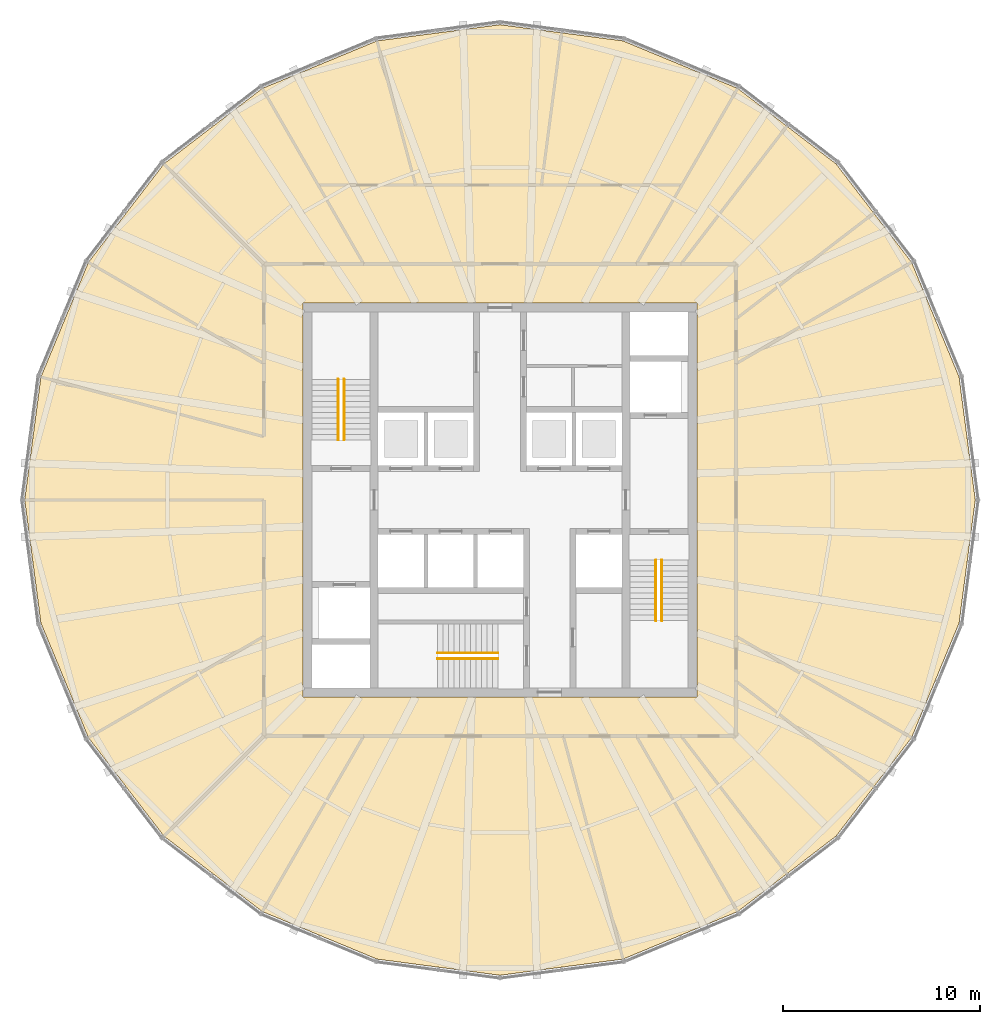
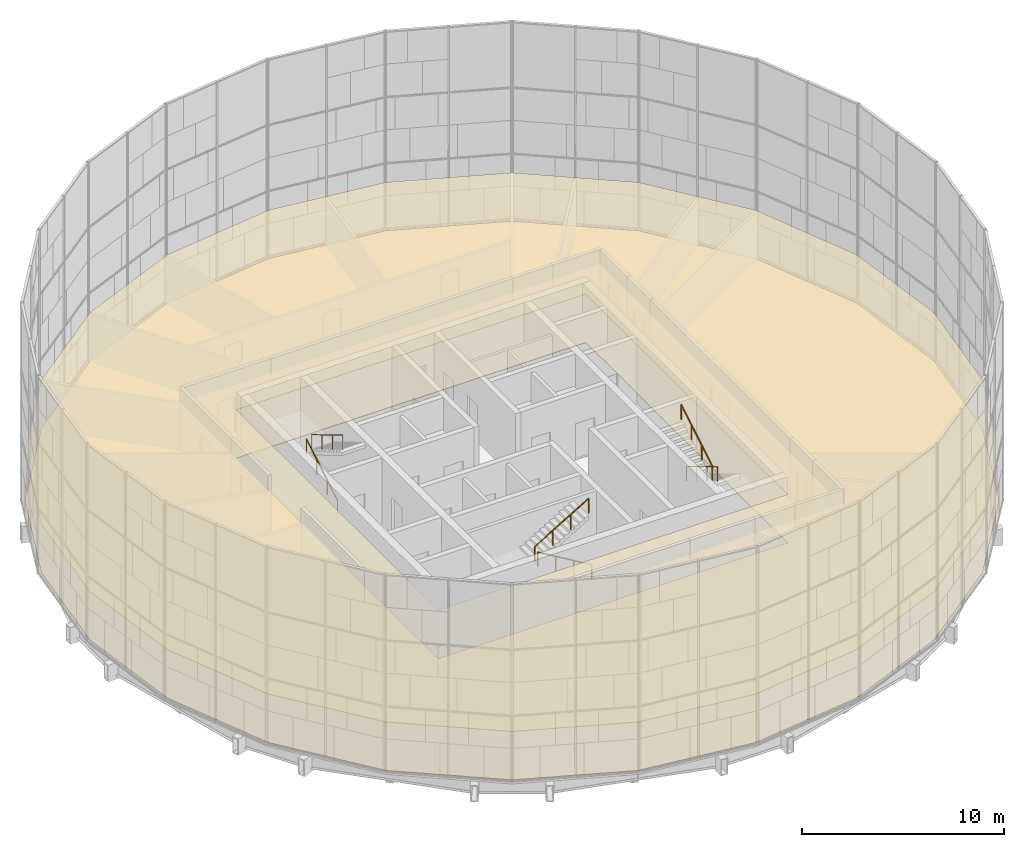
# One storey, part 21 of 22: 6 railings, 2 coverings.
"""IFC4 building model written with IfcOpenShell, lengths in metres."""

import ifcopenshell
import ifcopenshell.guid

model = None  # the IFC model being written
_history = None  # IfcOwnerHistory: only IFC2X3 demands one
_inside = {}  # id of a spatial element -> (the spatial element, [elements in it])
_under = {}  # id of a project, library or spatial element -> (it, [spatial elements below it])
_declared = {}  # id of a project -> (the project, [libraries it declares])
_typed = {}  # id of a type object -> (the type object, [elements of that type])
_made_of = {}  # id of a material, layer set ... -> (it, [elements and type objects made of it])


def new_model(schema):
    """Start an empty IFC model of exactly this schema.

    Asked for "IFC4X3", IfcOpenShell would pick the latest addendum, in which some entities
    have other attributes; the version numbers below select the first issue.
    IFC2X3 requires an IfcOwnerHistory on every rooted entity: one is made here for all.
    """
    global model, _history
    if schema == "IFC4X3":
        model = ifcopenshell.file(schema_version=(4, 3, 0, 0))
    else:
        model = ifcopenshell.file(schema=schema)
    _inside.clear()
    _under.clear()
    _declared.clear()
    _typed.clear()
    _made_of.clear()
    _history = None
    if model.schema == "IFC2X3":
        org = make("IfcOrganization", Name="unknown")
        user = make(
            "IfcPersonAndOrganization",
            ThePerson=make("IfcPerson", FamilyName="unknown"),
            TheOrganization=org,
        )
        app = make(
            "IfcApplication",
            ApplicationDeveloper=org,
            Version="unknown",
            ApplicationFullName="unknown",
            ApplicationIdentifier="unknown",
        )
        _history = make(
            "IfcOwnerHistory",
            OwningUser=user,
            OwningApplication=app,
            ChangeAction="ADDED",
            CreationDate=0,
        )
    return model


def make(cls, **values):
    """One entity of the class cls with the attributes given. An attribute that is None is left unset."""
    return model.create_entity(
        cls, **{name: value for name, value in values.items() if value is not None}
    )


def rooted(cls, **values):
    """An entity with a GlobalId (a new one), such as an element, a storey or a relation."""
    return make(cls, GlobalId=ifcopenshell.guid.new(), OwnerHistory=_history, **values)


def si_unit(unit_type, name, prefix=None):
    """IfcSIUnit, for example si_unit("LENGTHUNIT", "METRE", prefix="MILLI")."""
    return make("IfcSIUnit", UnitType=unit_type, Prefix=prefix, Name=name)


def assignment(units):
    """IfcUnitAssignment: the units of a project."""
    return None if units is None else make("IfcUnitAssignment", Units=units)


def point(xyz):
    """IfcCartesianPoint."""
    return None if xyz is None else make("IfcCartesianPoint", Coordinates=xyz)


def direction(xyz):
    """IfcDirection."""
    return None if xyz is None else make("IfcDirection", DirectionRatios=xyz)


def frame(location, z_axis=None, x_axis=None):
    """IfcAxis2Placement3D, a coordinate frame: its origin and axes. An axis left out is left unset."""
    return make(
        "IfcAxis2Placement3D",
        Location=point(location),
        Axis=direction(z_axis),
        RefDirection=direction(x_axis),
    )


def frame_2d(location, x_axis=None):
    """IfcAxis2Placement2D, a coordinate frame in the plane: its origin and x axis."""
    return make(
        "IfcAxis2Placement2D", Location=point(location), RefDirection=direction(x_axis)
    )


def origin():
    """The frame at (0, 0, 0) with its axes left unset."""
    return frame((0.0, 0.0, 0.0))


def origin_2d():
    """The frame at (0, 0) in the plane with its x axis left unset."""
    return frame_2d((0.0, 0.0))


def place(relative_to, where):
    """IfcLocalPlacement: puts the frame where relative to a parent placement (None: the world)."""
    return make(
        "IfcLocalPlacement", PlacementRelTo=relative_to, RelativePlacement=where
    )


def context(
    kind, dimensions, precision=None, world=None, true_north=None, identifier=None
):
    """IfcGeometricRepresentationContext, for example the 3D "Model" context."""
    return make(
        "IfcGeometricRepresentationContext",
        ContextIdentifier=identifier,
        ContextType=kind,
        CoordinateSpaceDimension=dimensions,
        Precision=precision,
        WorldCoordinateSystem=world,
        TrueNorth=true_north,
    )


def subcontext(parent, identifier, kind, view, scale=None):
    """IfcGeometricRepresentationSubContext, for example "Body" below "Model"."""
    return make(
        "IfcGeometricRepresentationSubContext",
        ContextIdentifier=identifier,
        ContextType=kind,
        ParentContext=parent,
        TargetScale=scale,
        TargetView=view,
    )


def project(units=None, contexts=None):
    """IfcProject with its units and contexts."""
    return rooted(
        "IfcProject",
        Name="project",
        RepresentationContexts=contexts,
        UnitsInContext=assignment(units),
    )


def spatial(cls, under=None, at=None, **own):
    """A site, building, storey or space (cls), placed at a placement, below another one or the project."""
    s = rooted(cls, ObjectPlacement=at, **own)
    if under is not None:
        _under.setdefault(under.id(), (under, []))[1].append(s)
    return s


def polyline(points):
    """IfcPolyline through the points."""
    return make("IfcPolyline", Points=[point(p) for p in points])


def profile(cls, at=None, kind="AREA", **sizes):
    """A parametric profile (cls). Its sizes go by their IFC names, for example OverallWidth=200.0."""
    return make(cls, ProfileType=kind, Position=at, **sizes)


def circle(**sizes):
    """IfcCircleProfileDef."""
    return profile("IfcCircleProfileDef", **sizes)


def outline(outer, holes=None, kind="AREA"):
    """IfcArbitraryClosedProfileDef: a profile drawn as a closed curve; with holes, ...WithVoids."""
    if holes is None:
        return make("IfcArbitraryClosedProfileDef", ProfileType=kind, OuterCurve=outer)
    return make(
        "IfcArbitraryProfileDefWithVoids",
        ProfileType=kind,
        OuterCurve=outer,
        InnerCurves=holes,
    )


def extrude(swept, where, along, depth):
    """IfcExtrudedAreaSolid: the profile swept, set in the frame where, extruded along a direction by depth."""
    return make(
        "IfcExtrudedAreaSolid",
        SweptArea=swept,
        Position=where,
        ExtrudedDirection=direction(along),
        Depth=depth,
    )


def shape(context_of_items, identifier, shape_type, items):
    """IfcShapeRepresentation: the items that make up one representation, for example the "Body"."""
    return make(
        "IfcShapeRepresentation",
        ContextOfItems=context_of_items,
        RepresentationIdentifier=identifier,
        RepresentationType=shape_type,
        Items=items,
    )


def material(Name=None, Category=None):
    """IfcMaterial."""
    return make("IfcMaterial", Name=Name, Category=Category)


def layer(
    of_material, thickness, ventilated=None, Name=None, Category=None, Priority=None
):
    """IfcMaterialLayer: one layer of a wall or slab, of a material (None: an air gap)."""
    return make(
        "IfcMaterialLayer",
        Material=of_material,
        LayerThickness=thickness,
        IsVentilated=ventilated,
        Name=Name,
        Category=Category,
        Priority=Priority,
    )


def layer_set(layers, Name=None):
    """IfcMaterialLayerSet."""
    return make("IfcMaterialLayerSet", MaterialLayers=layers, LayerSetName=Name)


def made_of(thing, what):
    """Note that an element or type object is made of a material, layer set ...; save() writes the relation."""
    if what is not None:
        _made_of.setdefault(what.id(), (what, []))[1].append(thing)
    return thing


def type_object(cls, material=None, **own):
    """A type object (cls), such as IfcWallType, which elements share."""
    return made_of(rooted(cls, **own), material)


def element(
    cls,
    number,
    at=None,
    inside=None,
    cuts=None,
    type_object=None,
    material=None,
    context=None,
    identifier="Body",
    shape_type=None,
    held_by="IfcProductDefinitionShape",
    body=None,
    shapes=None,
    **own,
):
    """One element of the class cls, such as IfcWall. Its Tag is "e" and its number.

    at: its placement. inside: the storey or other place that contains it. cuts: it is an
    opening in that element (IfcRelVoidsElement). A single representation is given by context,
    identifier, shape_type and body (its items); several are given by shapes. held_by: the class
    of the entity that holds the representations. save() writes the other relations.
    """
    e = rooted(cls, Tag="e%d" % number, ObjectPlacement=at, **own)
    if body is not None:
        shapes = [shape(context, identifier, shape_type, body)]
    if shapes is not None:
        e.Representation = make(held_by, Representations=shapes)
    if inside is not None:
        _inside.setdefault(inside.id(), (inside, []))[1].append(e)
    if cuts is not None:
        rooted(
            "IfcRelVoidsElement", RelatingBuildingElement=cuts, RelatedOpeningElement=e
        )
    if type_object is not None:
        _typed.setdefault(type_object.id(), (type_object, []))[1].append(e)
    return made_of(e, material)


def aggregate(whole, parts):
    """IfcRelAggregates: a whole, such as a stair, and the parts it consists of."""
    return rooted("IfcRelAggregates", RelatingObject=whole, RelatedObjects=parts)


def save(model, path):
    """Write the relations noted so far, then the file.

    IfcRelAggregates (storeys below a building ...), IfcRelContainedInSpatialStructure (elements
    in a storey), IfcRelDefinesByType, IfcRelAssociatesMaterial and IfcRelDeclares: one each for
    every whole, place, type object, material and project.
    """
    for whole, parts in _under.values():
        aggregate(whole, parts)
    for where, things in _inside.values():
        rooted(
            "IfcRelContainedInSpatialStructure",
            RelatedElements=things,
            RelatingStructure=where,
        )
    for kind, things in _typed.values():
        rooted("IfcRelDefinesByType", RelatedObjects=things, RelatingType=kind)
    for what, things in _made_of.values():
        rooted("IfcRelAssociatesMaterial", RelatedObjects=things, RelatingMaterial=what)
    for by, libraries in _declared.values():
        rooted("IfcRelDeclares", RelatingContext=by, RelatedDefinitions=libraries)
    model.write(path)


model = new_model("IFC4")

# Units and contexts
model_context = context("Model", 3, precision=1e-05, world=origin(), true_north=direction((0.0, 1.0)))
body_context = subcontext(model_context, "Body", "Model", "MODEL_VIEW")
ifc_project = project(units=[si_unit("LENGTHUNIT", "METRE"), si_unit("AREAUNIT", "SQUARE_METRE"), si_unit("VOLUMEUNIT", "CUBIC_METRE"), si_unit("PLANEANGLEUNIT", "RADIAN"), si_unit("MASSUNIT", "GRAM", prefix="KILO")], contexts=[model_context])

# Site, building, storey
site_placement = place(None, origin())
site = spatial("IfcSite", under=ifc_project, at=site_placement, CompositionType="ELEMENT")
building_placement = place(site_placement, origin())
building = spatial("IfcBuilding", under=site, at=building_placement, Name="Golbaran Civic Tower", CompositionType="ELEMENT")
storey_placement = place(building_placement, frame((0.0, 0.0, 155.0)))
storey = spatial("IfcBuildingStorey", under=building, at=storey_placement, Name="L37", CompositionType="ELEMENT", Elevation=155.0)

# Covering
ifc_material_1 = material(Name="Perforated aluminium plank on carriers", Category="aluminium")
ifc_layer_1 = layer(ifc_material_1, 0.030029296875, Name="Perforated aluminium plank on carriers")
ifc_layer_set_1 = layer_set([ifc_layer_1], Name="Perforated aluminium plank on carriers")
covering_type_1 = type_object("IfcCoveringType", Name="METAL PLANK CEILING 30", PredefinedType="CEILING", material=ifc_layer_set_1)
covering_1_placement = place(storey_placement, frame((0.0, 0.0, 2.89990234375)))
element("IfcCovering", 1, at=covering_1_placement, inside=storey, type_object=covering_type_1, Name="Suspended ceiling L37", PredefinedType="CEILING", context=body_context, shape_type="SweptSolid", body=[
    extrude(outline(polyline([(-17.078125, 17.078125), (-12.075927734375, 20.916259765625), (-6.2509765625, 23.3291015625), (0.0, 24.152099609375), (3.274169921875, 23.720947265625), (6.2509765625, 23.3291015625), (12.075927734375, 20.916259765625), (17.078125, 17.078125), (18.90576171875, 14.696044921875), (20.916259765625, 12.075927734375), (23.3291015625, 6.2509765625), (24.152099609375, 0.0), (23.3291015625, -6.2509765625), (20.916259765625, -12.075927734375), (17.078125, -17.078125), (14.696044921875, -18.90576171875), (12.075927734375, -20.916259765625), (6.2509765625, -23.3291015625), (0.0, -24.152099609375), (-6.2509765625, -23.3291015625), (-12.075927734375, -20.916259765625), (-17.078125, -17.078125), (-20.916259765625, -12.075927734375), (-23.3291015625, -6.2509765625), (-24.152099609375, 0.0), (-23.3291015625, 6.2509765625), (-20.916259765625, 12.075927734375), (-17.078125, 17.078125)]), holes=[polyline([(-10.0, 10.0), (-10.0, -10.0), (10.0, -10.0), (10.0, 10.0), (-10.0, 10.0)])]), origin(), (0.0, 0.0, 1.0), 0.030029296875),
])

# Railings
ifc_material_2 = material(Name="Stainless steel", Category="steel")
railing_type = type_object("IfcRailingType", Name="STAIR HANDRAIL 900", PredefinedType="HANDRAIL", material=ifc_material_2)
railing_1_placement = place(storey_placement, frame((-8.22509765625, 3.050048828125, 0.166748046875)))
element("IfcRailing", 2, at=railing_1_placement, inside=storey, type_object=railing_type, Name="Stair S1 handrail flight 1 L37", PredefinedType="HANDRAIL", context=body_context, shape_type="SweptSolid", body=[
    extrude(circle(Radius=0.02392578125, at=origin_2d()), frame((0.0, 0.0, 0.8759765625), z_axis=(0.0, 0.859290745958, 0.51148745235), x_axis=(-1.0, 0.0, 0.0)), (0.0, 0.0, 1.0), 3.584228515625),
    extrude(circle(Radius=0.02099609375, at=origin_2d()), origin(), (0.0, 0.0, 1.0), 0.851806640625),
    extrude(circle(Radius=0.02099609375, at=origin_2d()), frame((0.0, 1.026611328125, 0.611083984375)), (0.0, 0.0, 1.0), 0.851806640625),
    extrude(circle(Radius=0.02099609375, at=origin_2d()), frame((0.0, 2.05322265625, 1.22216796875)), (0.0, 0.0, 1.0), 0.851806640625),
    extrude(circle(Radius=0.02099609375, at=origin_2d()), frame((0.0, 3.079833984375, 1.833251953125)), (0.0, 0.0, 1.0), 0.851806640625),
])
for number, where, name in (
    (3, (-7.925048828125, 6.1298828125, 2.166748046875), "Stair S1 handrail flight 2 L37"),
    (4, (8.22509765625, -3.050048828125, 0.166748046875), "Stair S2 handrail flight 1 L37"),
):
    element("IfcRailing", number, at=place(storey_placement, frame(where)), inside=storey, type_object=railing_type, Name=name, PredefinedType="HANDRAIL", context=body_context, shape_type="SweptSolid", body=[
        extrude(circle(Radius=0.02392578125, at=origin_2d()), frame((0.0, 0.0, 0.8759765625), z_axis=(0.0, -0.859290745958, 0.51148745235), x_axis=(1.0, 0.0, 0.0)), (0.0, 0.0, 1.0), 3.584228515625),
        extrude(circle(Radius=0.02099609375, at=origin_2d()), origin(), (0.0, 0.0, 1.0), 0.851806640625),
        extrude(circle(Radius=0.02099609375, at=origin_2d()), frame((0.0, -1.026611328125, 0.611083984375)), (0.0, 0.0, 1.0), 0.851806640625),
        extrude(circle(Radius=0.02099609375, at=origin_2d()), frame((0.0, -2.05322265625, 1.22216796875)), (0.0, 0.0, 1.0), 0.851806640625),
        extrude(circle(Radius=0.02099609375, at=origin_2d()), frame((0.0, -3.079833984375, 1.833251953125)), (0.0, 0.0, 1.0), 0.851806640625),
    ])
railing_2_placement = place(storey_placement, frame((7.925048828125, -6.1298828125, 2.166748046875)))
element("IfcRailing", 5, at=railing_2_placement, inside=storey, type_object=railing_type, Name="Stair S2 handrail flight 2 L37", PredefinedType="HANDRAIL", context=body_context, shape_type="SweptSolid", body=[
    extrude(circle(Radius=0.02392578125, at=origin_2d()), frame((0.0, 0.0, 0.8759765625), z_axis=(0.0, 0.859290745958, 0.51148745235), x_axis=(-1.0, 0.0, 0.0)), (0.0, 0.0, 1.0), 3.584228515625),
    extrude(circle(Radius=0.02099609375, at=origin_2d()), origin(), (0.0, 0.0, 1.0), 0.851806640625),
    extrude(circle(Radius=0.02099609375, at=origin_2d()), frame((0.0, 1.026611328125, 0.611083984375)), (0.0, 0.0, 1.0), 0.851806640625),
    extrude(circle(Radius=0.02099609375, at=origin_2d()), frame((0.0, 2.05322265625, 1.22216796875)), (0.0, 0.0, 1.0), 0.851806640625),
    extrude(circle(Radius=0.02099609375, at=origin_2d()), frame((0.0, 3.079833984375, 1.833251953125)), (0.0, 0.0, 1.0), 0.851806640625),
])
railing_3_placement = place(storey_placement, frame((-0.10009765625, -8.074951171875, 0.166748046875)))
element("IfcRailing", 6, at=railing_3_placement, inside=storey, type_object=railing_type, Name="Stair S3 handrail flight 1 L37", PredefinedType="HANDRAIL", context=body_context, shape_type="SweptSolid", body=[
    extrude(circle(Radius=0.02392578125, at=origin_2d()), frame((0.0, 0.0, 0.8759765625), z_axis=(-0.859290745958, 0.0, 0.51148745235), x_axis=(0.0, -1.0, 0.0)), (0.0, 0.0, 1.0), 3.584228515625),
    extrude(circle(Radius=0.02099609375, at=origin_2d()), origin(), (0.0, 0.0, 1.0), 0.851806640625),
    extrude(circle(Radius=0.02099609375, at=origin_2d()), frame((-1.026611328125, 0.0, 0.611083984375)), (0.0, 0.0, 1.0), 0.851806640625),
    extrude(circle(Radius=0.02099609375, at=origin_2d()), frame((-2.05322265625, 0.0, 1.22216796875)), (0.0, 0.0, 1.0), 0.851806640625),
    extrude(circle(Radius=0.02099609375, at=origin_2d()), frame((-3.079833984375, 0.0, 1.833251953125)), (0.0, 0.0, 1.0), 0.851806640625),
])
railing_4_placement = place(storey_placement, frame((-3.179931640625, -7.77490234375, 2.166748046875)))
element("IfcRailing", 7, at=railing_4_placement, inside=storey, type_object=railing_type, Name="Stair S3 handrail flight 2 L37", PredefinedType="HANDRAIL", context=body_context, shape_type="SweptSolid", body=[
    extrude(circle(Radius=0.02392578125, at=origin_2d()), frame((0.0, 0.0, 0.8759765625), z_axis=(0.859290745958, 0.0, 0.51148745235), x_axis=(0.0, 1.0, 0.0)), (0.0, 0.0, 1.0), 3.584228515625),
    extrude(circle(Radius=0.02099609375, at=origin_2d()), origin(), (0.0, 0.0, 1.0), 0.851806640625),
    extrude(circle(Radius=0.02099609375, at=origin_2d()), frame((1.026611328125, 0.0, 0.611083984375)), (0.0, 0.0, 1.0), 0.851806640625),
    extrude(circle(Radius=0.02099609375, at=origin_2d()), frame((2.05322265625, 0.0, 1.22216796875)), (0.0, 0.0, 1.0), 0.851806640625),
    extrude(circle(Radius=0.02099609375, at=origin_2d()), frame((3.079833984375, 0.0, 1.833251953125)), (0.0, 0.0, 1.0), 0.851806640625),
])

# Covering
ifc_material_3 = material(Name="Travertine tile on mortar bed", Category="masonry")
ifc_layer_2 = layer(ifc_material_3, 0.030029296875, Name="Travertine tile on mortar bed")
ifc_layer_set_2 = layer_set([ifc_layer_2], Name="Travertine tile on mortar bed")
covering_type_2 = type_object("IfcCoveringType", Name="STONE FLOOR FINISH 30", PredefinedType="FLOORING", material=ifc_layer_set_2)
covering_2_placement = place(storey_placement, frame((0.0, 0.0, -0.030029296875)))
element("IfcCovering", 8, at=covering_2_placement, inside=storey, type_object=covering_type_2, Name="Stone floor finish L37", PredefinedType="FLOORING", context=body_context, shape_type="SweptSolid", body=[
    extrude(outline(polyline([(-17.078125, 17.078125), (-12.075927734375, 20.916259765625), (-6.2509765625, 23.3291015625), (0.0, 24.152099609375), (3.274169921875, 23.720947265625), (6.2509765625, 23.3291015625), (12.075927734375, 20.916259765625), (17.078125, 17.078125), (18.90576171875, 14.696044921875), (20.916259765625, 12.075927734375), (23.3291015625, 6.2509765625), (24.152099609375, 0.0), (23.3291015625, -6.2509765625), (20.916259765625, -12.075927734375), (17.078125, -17.078125), (14.696044921875, -18.90576171875), (12.075927734375, -20.916259765625), (6.2509765625, -23.3291015625), (0.0, -24.152099609375), (-6.2509765625, -23.3291015625), (-12.075927734375, -20.916259765625), (-17.078125, -17.078125), (-20.916259765625, -12.075927734375), (-23.3291015625, -6.2509765625), (-24.152099609375, 0.0), (-23.3291015625, 6.2509765625), (-20.916259765625, 12.075927734375), (-17.078125, 17.078125)]), holes=[polyline([(-10.0, 10.0), (-10.0, -10.0), (10.0, -10.0), (10.0, 10.0), (-10.0, 10.0)])]), origin(), (0.0, 0.0, 1.0), 0.030029296875),
])

save(model, "model.ifc")
